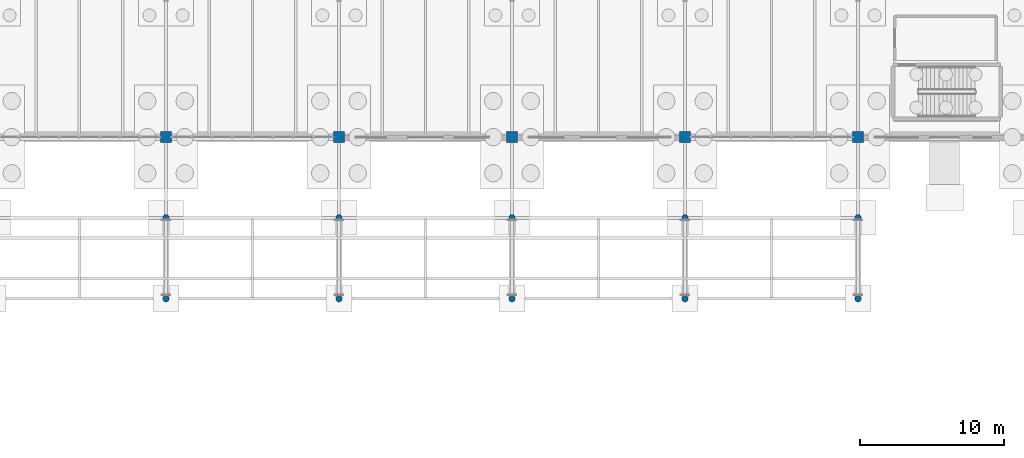
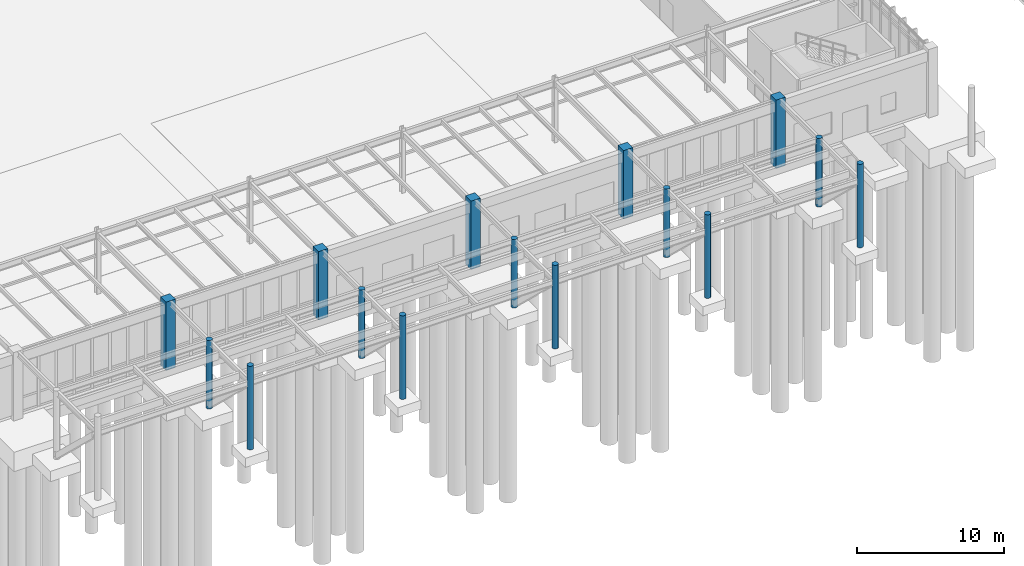
# One storey, part 8 of 188: 15 columns.
"""IFC4 building model written with IfcOpenShell, lengths in metres."""

from ifc_helpers import new_model, si_unit, direction, frame, origin, origin_2d, place, context, subcontext, project, spatial, rectangle, circle, extrude, material, material_profile, profile_set, type_object, element, save


model = new_model("IFC4")

# Units and contexts
model_context = context("Model", 3, precision=1e-05, world=origin(), true_north=direction((0.0, 1.0)))
body_context = subcontext(model_context, "Body", "Model", "MODEL_VIEW")
ifc_project = project(units=[si_unit("LENGTHUNIT", "METRE"), si_unit("AREAUNIT", "SQUARE_METRE"), si_unit("VOLUMEUNIT", "CUBIC_METRE"), si_unit("PLANEANGLEUNIT", "RADIAN"), si_unit("MASSUNIT", "GRAM", prefix="KILO")], contexts=[model_context])

# Site, building, storey
site_placement = place(None, origin())
site = spatial("IfcSite", under=ifc_project, at=site_placement, CompositionType="ELEMENT")
building_placement = place(site_placement, origin())
building = spatial("IfcBuilding", under=site, at=building_placement, Name="Pandanus Reach Market Hall", CompositionType="ELEMENT")
storey_placement = place(building_placement, origin())
storey = spatial("IfcBuildingStorey", under=building, at=storey_placement, Name="L00", CompositionType="ELEMENT", Elevation=0.0)

# Columns
ifc_material_1 = material(Name="Concrete N50 (50 MPa)", Category="concrete")
ifc_material_profile_1 = material_profile(ifc_material_1, rectangle(XDim=0.75, YDim=0.75, at=origin_2d()), Name="RC750x750", Category="LoadBearing")
ifc_profile_set_1 = profile_set([ifc_material_profile_1], Name="Concrete N50 (50 MPa)")
column_type_1 = type_object("IfcColumnType", Name="CL-RC750-E", PredefinedType="COLUMN", material=ifc_profile_set_1)
for number, where, z_axis, x_axis, name in (
    (1, (72.0, 28.800048828125, -0.300048828125), (0.0, 0.0, 1.0), (1.0, 0.0, 0.0), "Column CL-RC750-E V1A-72-288 L00"),
    (2, (84.0, 28.800048828125, -0.300048828125), (0.0, 0.0, 1.0), (1.0, 0.0, 0.0), "Column CL-RC750-E V1A-84-288 L00"),
    (3, (96.0, 28.800048828125, -0.300048828125), (0.0, 0.0, 1.0), (1.0, 0.0, 0.0), "Column CL-RC750-E V1A-96-288 L00"),
    (4, (108.0, 28.800048828125, -0.300048828125), (0.0, 0.0, 1.0), (1.0, 0.0, 0.0), "Column CL-RC750-E V1A-108-288 L00"),
    (5, (120.0, 28.800048828125, -0.300048828125), (0.0, 0.0, 1.0), (1.0, 0.0, 0.0), "Column CL-RC750-E V1A-120-288 L00"),
):
    element("IfcColumn", number, at=place(storey_placement, frame(where, z_axis=z_axis, x_axis=x_axis)), inside=storey, type_object=column_type_1, Name=name, PredefinedType="COLUMN", context=body_context, shape_type="SweptSolid", body=[
        extrude(rectangle(XDim=0.75, YDim=0.75, at=origin_2d()), origin(), (0.0, 0.0, 1.0), 5.699951171875),
    ])
ifc_material_2 = material(Name="Precast concrete S50 (50 MPa)", Category="concrete")
ifc_material_profile_2 = material_profile(ifc_material_2, circle(Radius=0.22509765625, at=origin_2d()), Name="RC450D", Category="LoadBearing")
ifc_profile_set_2 = profile_set([ifc_material_profile_2], Name="Precast concrete S50 (50 MPa)")
column_type_2 = type_object("IfcColumnType", Name="PL-RC450-E", PredefinedType="PILASTER", material=ifc_profile_set_2)
for number, where, z_axis, x_axis, name in (
    (6, (72.0, 23.199951171875, -0.300048828125), (0.0, 0.0, 1.0), (1.0, 0.0, 0.0), "Arcade pilaster P3"),
    (7, (84.0, 23.199951171875, -0.300048828125), (0.0, 0.0, 1.0), (1.0, 0.0, 0.0), "Arcade pilaster P4"),
    (8, (96.0, 23.199951171875, -0.300048828125), (0.0, 0.0, 1.0), (1.0, 0.0, 0.0), "Arcade pilaster P5"),
    (9, (108.0, 23.199951171875, -0.300048828125), (0.0, 0.0, 1.0), (1.0, 0.0, 0.0), "Arcade pilaster P6"),
    (10, (120.0, 23.199951171875, -0.300048828125), (0.0, 0.0, 1.0), (1.0, 0.0, 0.0), "Arcade pilaster P7"),
):
    element("IfcColumn", number, at=place(storey_placement, frame(where, z_axis=z_axis, x_axis=x_axis)), inside=storey, type_object=column_type_2, Name=name, PredefinedType="PILASTER", context=body_context, shape_type="SweptSolid", body=[
        extrude(circle(Radius=0.22509765625, at=origin_2d()), origin(), (0.0, 0.0, 1.0), 5.699951171875),
    ])
for number, where, z_axis, x_axis, name in (
    (11, (72.0, 17.60009765625, -0.300048828125), (0.0, 0.0, 1.0), (1.0, 0.0, 0.0), "Arcade pilaster P18"),
    (12, (84.0, 17.60009765625, -0.300048828125), (0.0, 0.0, 1.0), (1.0, 0.0, 0.0), "Arcade pilaster P19"),
    (13, (96.0, 17.60009765625, -0.300048828125), (0.0, 0.0, 1.0), (1.0, 0.0, 0.0), "Arcade pilaster P20"),
    (14, (108.0, 17.60009765625, -0.300048828125), (0.0, 0.0, 1.0), (1.0, 0.0, 0.0), "Arcade pilaster P21"),
    (15, (120.0, 17.60009765625, -0.300048828125), (0.0, 0.0, 1.0), (1.0, 0.0, 0.0), "Arcade pilaster P22"),
):
    element("IfcColumn", number, at=place(storey_placement, frame(where, z_axis=z_axis, x_axis=x_axis)), inside=storey, type_object=column_type_2, Name=name, PredefinedType="PILASTER", context=body_context, shape_type="SweptSolid", body=[
        extrude(circle(Radius=0.22509765625, at=origin_2d()), origin(), (0.0, 0.0, 1.0), 6.953369140625),
    ])

save(model, "model.ifc")
